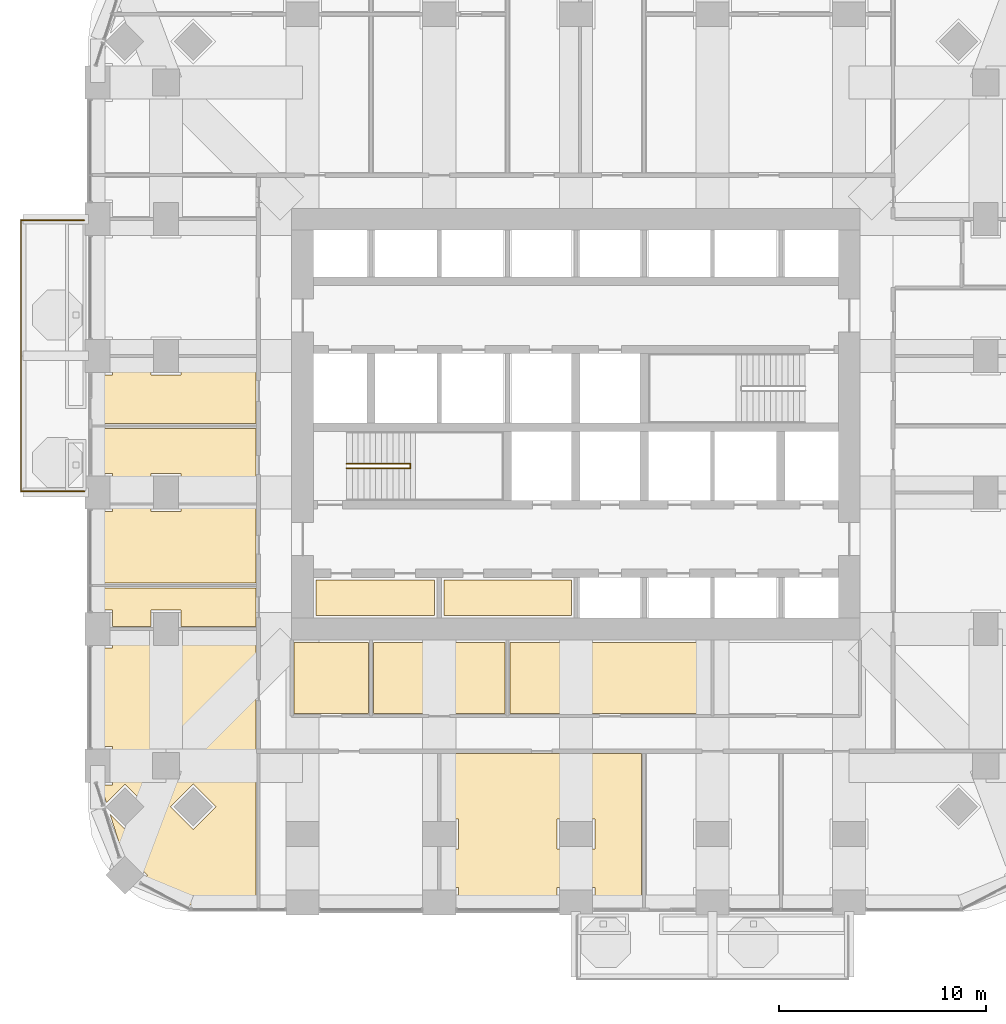
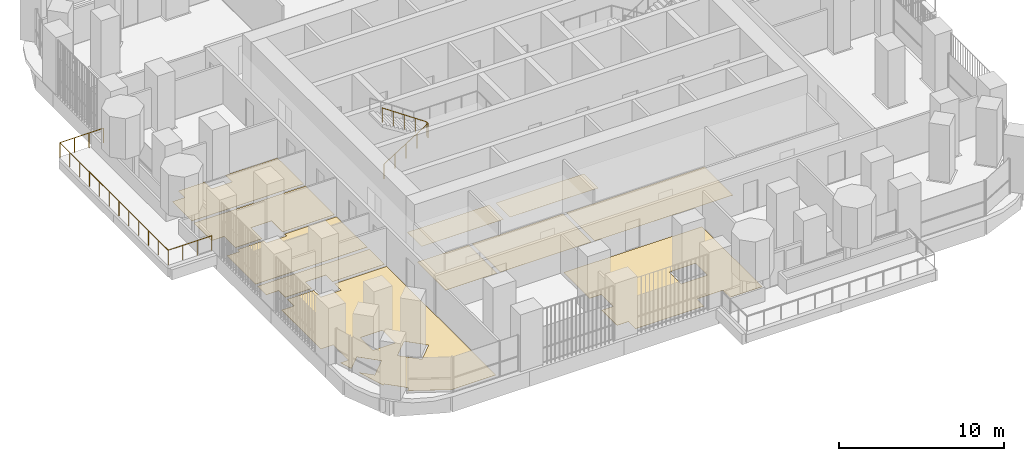
# One storey, part 18 of 22: 11 coverings, 2 railings.
"""IFC4 building model written with IfcOpenShell, lengths in metres."""

from ifc_helpers import new_model, si_unit, direction, frame, origin, place, context, subcontext, project, spatial, polyline, outline, extrude, material, layer, layer_set, type_object, element, save


model = new_model("IFC4")

# Units and contexts
model_context = context("Model", 3, precision=1e-05, world=origin(), true_north=direction((0.0, 1.0)))
body_context = subcontext(model_context, "Body", "Model", "MODEL_VIEW")
ifc_project = project(units=[si_unit("LENGTHUNIT", "METRE"), si_unit("AREAUNIT", "SQUARE_METRE"), si_unit("VOLUMEUNIT", "CUBIC_METRE"), si_unit("PLANEANGLEUNIT", "RADIAN"), si_unit("MASSUNIT", "GRAM", prefix="KILO")], contexts=[model_context])

# Site, building, storey
site_placement = place(None, origin())
site = spatial("IfcSite", under=ifc_project, at=site_placement, CompositionType="ELEMENT")
building_placement = place(site_placement, origin())
building = spatial("IfcBuilding", under=site, at=building_placement, Name="Cobogo Forest Laboratory Tower", CompositionType="ELEMENT")
storey_placement = place(building_placement, frame((0.0, 0.0, 136.800048828125)))
storey = spatial("IfcBuildingStorey", under=building, at=storey_placement, Name="L31", CompositionType="ELEMENT", Elevation=136.800048828125)

# Railing
ifc_material_1 = material(Name="Laminated glass balustrade", Category="glass")
railing_type_1 = type_object("IfcRailingType", Name="BG1 glass balustrade 1100", PredefinedType="GUARDRAIL", material=ifc_material_1)
railing_1_placement = place(storey_placement, frame((2.64990234375, 19.85009765625, 0.0)))
element("IfcRailing", 1, at=railing_1_placement, inside=storey, type_object=railing_type_1, Name="Balcony balustrade BAL-W1 L31", PredefinedType="GUARDRAIL", context=body_context, shape_type="SweptSolid", body=[
    extrude(outline(polyline([(0.022216796875, 0.00927734375), (0.00927734375, 0.022216796875), (-0.00927734375, 0.022216796875), (-0.022216796875, 0.00927734375), (-0.022216796875, -0.00927734375), (-0.00927734375, -0.022216796875), (0.00927734375, -0.022216796875), (0.022216796875, -0.00927734375), (0.022216796875, 0.00927734375)])), frame((0.0, 0.0, 1.077880859375), z_axis=(-1.0, 0.0, 0.0), x_axis=(0.0, -1.0, 0.0)), (0.0, 0.0, 1.0), 3.0498046875),
    extrude(outline(polyline([(0.022216796875, 0.00927734375), (0.00927734375, 0.022216796875), (-0.00927734375, 0.022216796875), (-0.022216796875, 0.00927734375), (-0.022216796875, -0.00927734375), (-0.00927734375, -0.022216796875), (0.00927734375, -0.022216796875), (0.022216796875, -0.00927734375), (0.022216796875, 0.00927734375)])), frame((-3.0498046875, 0.0, 1.077880859375), z_axis=(0.0, 1.0, 0.0), x_axis=(-1.0, 0.0, 0.0)), (0.0, 0.0, 1.0), 13.099853515625),
    extrude(outline(polyline([(0.022216796875, 0.00927734375), (0.00927734375, 0.022216796875), (-0.00927734375, 0.022216796875), (-0.022216796875, 0.00927734375), (-0.022216796875, -0.00927734375), (-0.00927734375, -0.022216796875), (0.00927734375, -0.022216796875), (0.022216796875, -0.00927734375), (0.022216796875, 0.00927734375)])), frame((-3.0498046875, 13.099853515625, 1.077880859375), z_axis=(1.0, 0.0, 0.0), x_axis=(0.0, 1.0, 0.0)), (0.0, 0.0, 1.0), 3.0498046875),
    extrude(outline(polyline([(0.019287109375, 0.008056640625), (0.008056640625, 0.019287109375), (-0.008056640625, 0.019287109375), (-0.019287109375, 0.008056640625), (-0.019287109375, -0.008056640625), (-0.008056640625, -0.019287109375), (0.008056640625, -0.019287109375), (0.019287109375, -0.008056640625), (0.019287109375, 0.008056640625)])), origin(), (0.0, 0.0, 1.0), 1.077880859375),
    extrude(outline(polyline([(0.019287109375, 0.008056640625), (0.008056640625, 0.019287109375), (-0.008056640625, 0.019287109375), (-0.019287109375, 0.008056640625), (-0.019287109375, -0.008056640625), (-0.008056640625, -0.019287109375), (0.008056640625, -0.019287109375), (0.019287109375, -0.008056640625), (0.019287109375, 0.008056640625)])), frame((-1.0166015625, 0.0, 0.0)), (0.0, 0.0, 1.0), 1.077880859375),
    extrude(outline(polyline([(0.019287109375, 0.008056640625), (0.008056640625, 0.019287109375), (-0.008056640625, 0.019287109375), (-0.019287109375, 0.008056640625), (-0.019287109375, -0.008056640625), (-0.008056640625, -0.019287109375), (0.008056640625, -0.019287109375), (0.019287109375, -0.008056640625), (0.019287109375, 0.008056640625)])), frame((-2.033203125, 0.0, 0.0)), (0.0, 0.0, 1.0), 1.077880859375),
    extrude(outline(polyline([(0.019287109375, 0.008056640625), (0.008056640625, 0.019287109375), (-0.008056640625, 0.019287109375), (-0.019287109375, 0.008056640625), (-0.019287109375, -0.008056640625), (-0.008056640625, -0.019287109375), (0.008056640625, -0.019287109375), (0.019287109375, -0.008056640625), (0.019287109375, 0.008056640625)])), frame((-3.0498046875, 0.0, 0.0)), (0.0, 0.0, 1.0), 1.077880859375),
    extrude(outline(polyline([(0.019287109375, 0.008056640625), (0.008056640625, 0.019287109375), (-0.008056640625, 0.019287109375), (-0.019287109375, 0.008056640625), (-0.019287109375, -0.008056640625), (-0.008056640625, -0.019287109375), (0.008056640625, -0.019287109375), (0.019287109375, -0.008056640625), (0.019287109375, 0.008056640625)])), frame((-3.0498046875, 1.19091796875, 0.0)), (0.0, 0.0, 1.0), 1.077880859375),
    extrude(outline(polyline([(0.019287109375, 0.008056640625), (0.008056640625, 0.019287109375), (-0.008056640625, 0.019287109375), (-0.019287109375, 0.008056640625), (-0.019287109375, -0.008056640625), (-0.008056640625, -0.019287109375), (0.008056640625, -0.019287109375), (0.019287109375, -0.008056640625), (0.019287109375, 0.008056640625)])), frame((-3.0498046875, 2.3818359375, 0.0)), (0.0, 0.0, 1.0), 1.077880859375),
    extrude(outline(polyline([(0.019287109375, 0.008056640625), (0.008056640625, 0.019287109375), (-0.008056640625, 0.019287109375), (-0.019287109375, 0.008056640625), (-0.019287109375, -0.008056640625), (-0.008056640625, -0.019287109375), (0.008056640625, -0.019287109375), (0.019287109375, -0.008056640625), (0.019287109375, 0.008056640625)])), frame((-3.0498046875, 3.57275390625, 0.0)), (0.0, 0.0, 1.0), 1.077880859375),
    extrude(outline(polyline([(0.019287109375, 0.008056640625), (0.008056640625, 0.019287109375), (-0.008056640625, 0.019287109375), (-0.019287109375, 0.008056640625), (-0.019287109375, -0.008056640625), (-0.008056640625, -0.019287109375), (0.008056640625, -0.019287109375), (0.019287109375, -0.008056640625), (0.019287109375, 0.008056640625)])), frame((-3.0498046875, 4.763671875, 0.0)), (0.0, 0.0, 1.0), 1.077880859375),
    extrude(outline(polyline([(0.019287109375, 0.008056640625), (0.008056640625, 0.019287109375), (-0.008056640625, 0.019287109375), (-0.019287109375, 0.008056640625), (-0.019287109375, -0.008056640625), (-0.008056640625, -0.019287109375), (0.008056640625, -0.019287109375), (0.019287109375, -0.008056640625), (0.019287109375, 0.008056640625)])), frame((-3.0498046875, 5.95458984375, 0.0)), (0.0, 0.0, 1.0), 1.077880859375),
    extrude(outline(polyline([(0.019287109375, 0.008056640625), (0.008056640625, 0.019287109375), (-0.008056640625, 0.019287109375), (-0.019287109375, 0.008056640625), (-0.019287109375, -0.008056640625), (-0.008056640625, -0.019287109375), (0.008056640625, -0.019287109375), (0.019287109375, -0.008056640625), (0.019287109375, 0.008056640625)])), frame((-3.0498046875, 7.145263671875, 0.0)), (0.0, 0.0, 1.0), 1.077880859375),
    extrude(outline(polyline([(0.019287109375, 0.008056640625), (0.008056640625, 0.019287109375), (-0.008056640625, 0.019287109375), (-0.019287109375, 0.008056640625), (-0.019287109375, -0.008056640625), (-0.008056640625, -0.019287109375), (0.008056640625, -0.019287109375), (0.019287109375, -0.008056640625), (0.019287109375, 0.008056640625)])), frame((-3.0498046875, 8.336181640625, 0.0)), (0.0, 0.0, 1.0), 1.077880859375),
    extrude(outline(polyline([(0.019287109375, 0.008056640625), (0.008056640625, 0.019287109375), (-0.008056640625, 0.019287109375), (-0.019287109375, 0.008056640625), (-0.019287109375, -0.008056640625), (-0.008056640625, -0.019287109375), (0.008056640625, -0.019287109375), (0.019287109375, -0.008056640625), (0.019287109375, 0.008056640625)])), frame((-3.0498046875, 9.527099609375, 0.0)), (0.0, 0.0, 1.0), 1.077880859375),
    extrude(outline(polyline([(0.019287109375, 0.008056640625), (0.008056640625, 0.019287109375), (-0.008056640625, 0.019287109375), (-0.019287109375, 0.008056640625), (-0.019287109375, -0.008056640625), (-0.008056640625, -0.019287109375), (0.008056640625, -0.019287109375), (0.019287109375, -0.008056640625), (0.019287109375, 0.008056640625)])), frame((-3.0498046875, 10.718017578125, 0.0)), (0.0, 0.0, 1.0), 1.077880859375),
    extrude(outline(polyline([(0.019287109375, 0.008056640625), (0.008056640625, 0.019287109375), (-0.008056640625, 0.019287109375), (-0.019287109375, 0.008056640625), (-0.019287109375, -0.008056640625), (-0.008056640625, -0.019287109375), (0.008056640625, -0.019287109375), (0.019287109375, -0.008056640625), (0.019287109375, 0.008056640625)])), frame((-3.0498046875, 11.908935546875, 0.0)), (0.0, 0.0, 1.0), 1.077880859375),
    extrude(outline(polyline([(0.019287109375, 0.008056640625), (0.008056640625, 0.019287109375), (-0.008056640625, 0.019287109375), (-0.019287109375, 0.008056640625), (-0.019287109375, -0.008056640625), (-0.008056640625, -0.019287109375), (0.008056640625, -0.019287109375), (0.019287109375, -0.008056640625), (0.019287109375, 0.008056640625)])), frame((-3.0498046875, 13.099853515625, 0.0)), (0.0, 0.0, 1.0), 1.077880859375),
    extrude(outline(polyline([(0.019287109375, 0.008056640625), (0.008056640625, 0.019287109375), (-0.008056640625, 0.019287109375), (-0.019287109375, 0.008056640625), (-0.019287109375, -0.008056640625), (-0.008056640625, -0.019287109375), (0.008056640625, -0.019287109375), (0.019287109375, -0.008056640625), (0.019287109375, 0.008056640625)])), frame((-2.033203125, 13.099853515625, 0.0)), (0.0, 0.0, 1.0), 1.077880859375),
    extrude(outline(polyline([(0.019287109375, 0.008056640625), (0.008056640625, 0.019287109375), (-0.008056640625, 0.019287109375), (-0.019287109375, 0.008056640625), (-0.019287109375, -0.008056640625), (-0.008056640625, -0.019287109375), (0.008056640625, -0.019287109375), (0.019287109375, -0.008056640625), (0.019287109375, 0.008056640625)])), frame((-1.0166015625, 13.099853515625, 0.0)), (0.0, 0.0, 1.0), 1.077880859375),
    extrude(outline(polyline([(0.019287109375, 0.008056640625), (0.008056640625, 0.019287109375), (-0.008056640625, 0.019287109375), (-0.019287109375, 0.008056640625), (-0.019287109375, -0.008056640625), (-0.008056640625, -0.019287109375), (0.008056640625, -0.019287109375), (0.019287109375, -0.008056640625), (0.019287109375, 0.008056640625)])), frame((0.0, 13.099853515625, 0.0)), (0.0, 0.0, 1.0), 1.077880859375),
])

# Coverings
ifc_material_2 = material(Name="Carpet tile on raised access floor", Category="flooring")
ifc_layer_1 = layer(ifc_material_2, 0.008056640625)
ifc_layer_set_1 = layer_set([ifc_layer_1], Name="CT1 carpet tile floor 8")
covering_type_1 = type_object("IfcCoveringType", Name="CT1 carpet tile floor 8", PredefinedType="FLOORING", material=ifc_layer_set_1)
covering_1_placement = place(storey_placement, origin())
element("IfcCovering", 2, at=covering_1_placement, inside=storey, type_object=covering_type_1, Name="Carpet floor L31-06", PredefinedType="FLOORING", context=body_context, shape_type="SweptSolid", body=[
    extrude(outline(polyline([(29.580078125, 7.179931640625), (29.580078125, -0.14990234375), (27.320068359375, -0.14990234375), (27.320068359375, 0.719970703125), (25.47998046875, 0.719970703125), (25.47998046875, -0.14990234375), (20.719970703125, -0.14990234375), (20.719970703125, 0.719970703125), (19.919921875, 0.719970703125), (19.919921875, 2.580078125), (20.719970703125, 2.580078125), (20.719970703125, 4.02001953125), (19.919921875, 4.02001953125), (19.919921875, 7.179931640625), (29.580078125, 7.179931640625)]), holes=[polyline([(25.47998046875, 4.02001953125), (25.47998046875, 2.580078125), (27.320068359375, 2.580078125), (27.320068359375, 4.02001953125), (25.47998046875, 4.02001953125)])]), origin(), (0.0, 0.0, 1.0), 0.008056640625),
])
covering_2_placement = place(storey_placement, origin())
element("IfcCovering", 3, at=covering_2_placement, inside=storey, type_object=covering_type_1, Name="Carpet floor L31-23", PredefinedType="FLOORING", context=body_context, shape_type="SweptSolid", body=[
    extrude(outline(polyline([(3.904052734375, 4.2431640625), (4.617919921875, 3.529052734375), (5.70703125, 4.617919921875), (4.617919921875, 5.70703125), (3.72412109375, 4.81298828125), (3.4501953125, 5.679931640625), (4.02001953125, 5.679931640625), (4.02001953125, 7.52001953125), (3.14990234375, 7.52001953125), (3.14990234375, 12.280029296875), (4.02001953125, 12.280029296875), (4.02001953125, 13.080078125), (5.8798828125, 13.080078125), (5.8798828125, 12.280029296875), (7.320068359375, 12.280029296875), (7.320068359375, 13.080078125), (10.955078125, 13.080078125), (10.955078125, -0.14990234375), (7.84912109375, -0.14990234375), (5.480712890625, 1.091552734375), (5.70703125, 1.318115234375), (4.617919921875, 2.406982421875), (4.51611328125, 2.304931640625), (3.904052734375, 4.2431640625)]), holes=[polyline([(6.8291015625, 4.617919921875), (7.91796875, 3.529052734375), (9.007080078125, 4.617919921875), (7.91796875, 5.70703125), (6.8291015625, 4.617919921875)]), polyline([(5.830078125, 7.3701171875), (5.830078125, 5.830078125), (7.3701171875, 5.830078125), (7.3701171875, 7.3701171875), (5.830078125, 7.3701171875)])]), origin(), (0.0, 0.0, 1.0), 0.008056640625),
])
covering_3_placement = place(storey_placement, origin())
element("IfcCovering", 4, at=covering_3_placement, inside=storey, type_object=covering_type_1, Name="Carpet floor L31-37", PredefinedType="FLOORING", context=body_context, shape_type="SweptSolid", body=[
    extrude(outline(polyline([(19.580078125, 13.844970703125), (13.844970703125, 13.844970703125), (13.844970703125, 15.580078125), (19.580078125, 15.580078125), (19.580078125, 13.844970703125)])), origin(), (0.0, 0.0, 1.0), 0.008056640625),
])
covering_4_placement = place(storey_placement, origin())
element("IfcCovering", 5, at=covering_4_placement, inside=storey, type_object=covering_type_1, Name="Carpet floor L31-38", PredefinedType="FLOORING", context=body_context, shape_type="SweptSolid", body=[
    extrude(outline(polyline([(26.179931640625, 13.844970703125), (20.02001953125, 13.844970703125), (20.02001953125, 15.580078125), (26.179931640625, 15.580078125), (26.179931640625, 13.844970703125)])), origin(), (0.0, 0.0, 1.0), 0.008056640625),
])

# Railing
ifc_material_3 = material(Name="Steel balustrade", Category="steel")
railing_type_2 = type_object("IfcRailingType", Name="GR stair guard 1100", PredefinedType="GUARDRAIL", material=ifc_material_3)
railing_2_placement = place(storey_placement, frame((15.324951171875, 20.969970703125, 0.175048828125)))
element("IfcRailing", 6, at=railing_2_placement, inside=storey, type_object=railing_type_2, Name="Stair guard ST1 L31", PredefinedType="GUARDRAIL", context=body_context, shape_type="SweptSolid", body=[
    extrude(outline(polyline([(0.022216796875, 0.00927734375), (0.00927734375, 0.022216796875), (-0.00927734375, 0.022216796875), (-0.022216796875, 0.00927734375), (-0.022216796875, -0.00927734375), (-0.00927734375, -0.022216796875), (0.00927734375, -0.022216796875), (0.022216796875, -0.00927734375), (0.022216796875, 0.00927734375)])), frame((0.0, 0.0, 1.077880859375), z_axis=(0.848028513186, 0.0, 0.529950602248), x_axis=(0.0, 1.0, 0.0)), (0.0, 0.0, 1.0), 3.632080078125),
    extrude(outline(polyline([(0.022216796875, 0.00927734375), (0.00927734375, 0.022216796875), (-0.00927734375, 0.022216796875), (-0.022216796875, 0.00927734375), (-0.022216796875, -0.00927734375), (-0.00927734375, -0.022216796875), (0.00927734375, -0.022216796875), (0.022216796875, -0.00927734375), (0.022216796875, 0.00927734375)])), frame((3.080078125, 0.0, 3.002685546875), z_axis=(0.0, 1.0, 0.0), x_axis=(-1.0, 0.0, 0.0)), (0.0, 0.0, 1.0), 0.2099609375),
    extrude(outline(polyline([(0.022216796875, 0.00927734375), (0.00927734375, 0.022216796875), (-0.00927734375, 0.022216796875), (-0.022216796875, 0.00927734375), (-0.022216796875, -0.00927734375), (-0.00927734375, -0.022216796875), (0.00927734375, -0.022216796875), (0.022216796875, -0.00927734375), (0.022216796875, 0.00927734375)])), frame((3.080078125, 0.2099609375, 3.002685546875), z_axis=(-0.826221800596, 0.0, 0.563344953133), x_axis=(0.0, -1.0, 0.0)), (0.0, 0.0, 1.0), 3.72802734375),
    extrude(outline(polyline([(0.019287109375, 0.008056640625), (0.008056640625, 0.019287109375), (-0.008056640625, 0.019287109375), (-0.019287109375, 0.008056640625), (-0.019287109375, -0.008056640625), (-0.008056640625, -0.019287109375), (0.008056640625, -0.019287109375), (0.019287109375, -0.008056640625), (0.019287109375, 0.008056640625)])), origin(), (0.0, 0.0, 1.0), 1.077880859375),
    extrude(outline(polyline([(0.019287109375, 0.008056640625), (0.008056640625, 0.019287109375), (-0.008056640625, 0.019287109375), (-0.019287109375, 0.008056640625), (-0.019287109375, -0.008056640625), (-0.008056640625, -0.019287109375), (0.008056640625, -0.019287109375), (0.019287109375, -0.008056640625), (0.019287109375, 0.008056640625)])), frame((0.77001953125, 0.0, 0.481201171875)), (0.0, 0.0, 1.0), 1.077880859375),
    extrude(outline(polyline([(0.019287109375, 0.008056640625), (0.008056640625, 0.019287109375), (-0.008056640625, 0.019287109375), (-0.019287109375, 0.008056640625), (-0.019287109375, -0.008056640625), (-0.008056640625, -0.019287109375), (0.008056640625, -0.019287109375), (0.019287109375, -0.008056640625), (0.019287109375, 0.008056640625)])), frame((1.5400390625, 0.0, 0.96240234375)), (0.0, 0.0, 1.0), 1.077880859375),
    extrude(outline(polyline([(0.019287109375, 0.008056640625), (0.008056640625, 0.019287109375), (-0.008056640625, 0.019287109375), (-0.019287109375, 0.008056640625), (-0.019287109375, -0.008056640625), (-0.008056640625, -0.019287109375), (0.008056640625, -0.019287109375), (0.019287109375, -0.008056640625), (0.019287109375, 0.008056640625)])), frame((2.31005859375, 0.0, 1.443603515625)), (0.0, 0.0, 1.0), 1.077880859375),
    extrude(outline(polyline([(0.019287109375, 0.008056640625), (0.008056640625, 0.019287109375), (-0.008056640625, 0.019287109375), (-0.019287109375, 0.008056640625), (-0.019287109375, -0.008056640625), (-0.008056640625, -0.019287109375), (0.008056640625, -0.019287109375), (0.019287109375, -0.008056640625), (0.019287109375, 0.008056640625)])), frame((3.080078125, 0.0, 1.9248046875)), (0.0, 0.0, 1.0), 1.077880859375),
    extrude(outline(polyline([(0.019287109375, 0.008056640625), (0.008056640625, 0.019287109375), (-0.008056640625, 0.019287109375), (-0.019287109375, 0.008056640625), (-0.019287109375, -0.008056640625), (-0.008056640625, -0.019287109375), (0.008056640625, -0.019287109375), (0.019287109375, -0.008056640625), (0.019287109375, 0.008056640625)])), frame((3.080078125, 0.2099609375, 1.9248046875)), (0.0, 0.0, 1.0), 1.077880859375),
    extrude(outline(polyline([(0.019287109375, 0.008056640625), (0.008056640625, 0.019287109375), (-0.008056640625, 0.019287109375), (-0.019287109375, 0.008056640625), (-0.019287109375, -0.008056640625), (-0.008056640625, -0.019287109375), (0.008056640625, -0.019287109375), (0.019287109375, -0.008056640625), (0.019287109375, 0.008056640625)])), frame((2.31005859375, 0.2099609375, 2.44970703125)), (0.0, 0.0, 1.0), 1.077880859375),
    extrude(outline(polyline([(0.019287109375, 0.008056640625), (0.008056640625, 0.019287109375), (-0.008056640625, 0.019287109375), (-0.019287109375, 0.008056640625), (-0.019287109375, -0.008056640625), (-0.008056640625, -0.019287109375), (0.008056640625, -0.019287109375), (0.019287109375, -0.008056640625), (0.019287109375, 0.008056640625)])), frame((1.5400390625, 0.2099609375, 2.974853515625)), (0.0, 0.0, 1.0), 1.077880859375),
    extrude(outline(polyline([(0.019287109375, 0.008056640625), (0.008056640625, 0.019287109375), (-0.008056640625, 0.019287109375), (-0.019287109375, 0.008056640625), (-0.019287109375, -0.008056640625), (-0.008056640625, -0.019287109375), (0.008056640625, -0.019287109375), (0.019287109375, -0.008056640625), (0.019287109375, 0.008056640625)])), frame((0.77001953125, 0.2099609375, 3.5)), (0.0, 0.0, 1.0), 1.077880859375),
    extrude(outline(polyline([(0.019287109375, 0.008056640625), (0.008056640625, 0.019287109375), (-0.008056640625, 0.019287109375), (-0.019287109375, 0.008056640625), (-0.019287109375, -0.008056640625), (-0.008056640625, -0.019287109375), (0.008056640625, -0.019287109375), (0.019287109375, -0.008056640625), (0.019287109375, 0.008056640625)])), frame((0.0, 0.2099609375, 4.02490234375)), (0.0, 0.0, 1.0), 1.077880859375),
])

# Coverings
ifc_material_4 = material(Name="Epoxy resin flooring", Category="flooring")
ifc_layer_2 = layer(ifc_material_4, 0.00390625)
ifc_layer_set_2 = layer_set([ifc_layer_2], Name="LF1 epoxy laboratory floor 4")
covering_type_2 = type_object("IfcCoveringType", Name="LF1 epoxy laboratory floor 4", PredefinedType="FLOORING", material=ifc_layer_set_2)
covering_5_placement = place(storey_placement, origin())
element("IfcCovering", 7, at=covering_5_placement, inside=storey, type_object=covering_type_2, Name="Epoxy laboratory floor L31-02", PredefinedType="FLOORING", context=body_context, shape_type="SweptSolid", body=[
    extrude(outline(polyline([(22.97998046875, 9.1201171875), (16.6201171875, 9.1201171875), (16.6201171875, 12.554931640625), (22.97998046875, 12.554931640625), (22.97998046875, 9.1201171875)])), origin(), (0.0, 0.0, 1.0), 0.00390625),
])
covering_6_placement = place(storey_placement, origin())
element("IfcCovering", 8, at=covering_6_placement, inside=storey, type_object=covering_type_2, Name="Epoxy laboratory floor L31-03", PredefinedType="FLOORING", context=body_context, shape_type="SweptSolid", body=[
    extrude(outline(polyline([(32.8798828125, 9.1201171875), (23.219970703125, 9.1201171875), (23.219970703125, 12.554931640625), (32.8798828125, 12.554931640625), (32.8798828125, 9.1201171875)])), origin(), (0.0, 0.0, 1.0), 0.00390625),
])
ifc_material_5 = material(Name="Ceramic floor tile", Category="flooring")
ifc_layer_3 = layer(ifc_material_5, 0.010009765625)
ifc_layer_set_3 = layer_set([ifc_layer_3], Name="TF1 ceramic tile floor 10")
covering_type_3 = type_object("IfcCoveringType", Name="TF1 ceramic tile floor 10", PredefinedType="FLOORING", material=ifc_layer_set_3)
covering_7_placement = place(storey_placement, origin())
element("IfcCovering", 9, at=covering_7_placement, inside=storey, type_object=covering_type_3, Name="Tile floor L31-01", PredefinedType="FLOORING", context=body_context, shape_type="SweptSolid", body=[
    extrude(outline(polyline([(16.3798828125, 9.1201171875), (12.794921875, 9.1201171875), (12.794921875, 12.554931640625), (16.3798828125, 12.554931640625), (16.3798828125, 9.1201171875)])), origin(), (0.0, 0.0, 1.0), 0.010009765625),
])
covering_8_placement = place(storey_placement, origin())
element("IfcCovering", 10, at=covering_8_placement, inside=storey, type_object=covering_type_3, Name="Tile floor L31-24", PredefinedType="FLOORING", context=body_context, shape_type="SweptSolid", body=[
    extrude(outline(polyline([(10.955078125, 13.320068359375), (7.320068359375, 13.320068359375), (7.320068359375, 14.1201171875), (5.8798828125, 14.1201171875), (5.8798828125, 13.320068359375), (4.02001953125, 13.320068359375), (4.02001953125, 14.1201171875), (3.14990234375, 14.1201171875), (3.14990234375, 15.179931640625), (10.955078125, 15.179931640625), (10.955078125, 13.320068359375)])), origin(), (0.0, 0.0, 1.0), 0.010009765625),
])
covering_9_placement = place(storey_placement, origin())
element("IfcCovering", 11, at=covering_9_placement, inside=storey, type_object=covering_type_3, Name="Tile floor L31-25", PredefinedType="FLOORING", context=body_context, shape_type="SweptSolid", body=[
    extrude(outline(polyline([(10.955078125, 15.419921875), (3.14990234375, 15.419921875), (3.14990234375, 18.8798828125), (4.02001953125, 18.8798828125), (4.02001953125, 19.1298828125), (5.8798828125, 19.1298828125), (5.8798828125, 18.8798828125), (7.320068359375, 18.8798828125), (7.320068359375, 19.1298828125), (10.955078125, 19.1298828125), (10.955078125, 15.419921875)])), origin(), (0.0, 0.0, 1.0), 0.010009765625),
])
covering_10_placement = place(storey_placement, origin())
element("IfcCovering", 12, at=covering_10_placement, inside=storey, type_object=covering_type_3, Name="Tile floor L31-26", PredefinedType="FLOORING", context=body_context, shape_type="SweptSolid", body=[
    extrude(outline(polyline([(10.955078125, 19.3701171875), (7.320068359375, 19.3701171875), (7.320068359375, 20.719970703125), (5.8798828125, 20.719970703125), (5.8798828125, 19.3701171875), (4.02001953125, 19.3701171875), (4.02001953125, 20.719970703125), (3.14990234375, 20.719970703125), (3.14990234375, 22.8798828125), (10.955078125, 22.8798828125), (10.955078125, 19.3701171875)])), origin(), (0.0, 0.0, 1.0), 0.010009765625),
])
covering_11_placement = place(storey_placement, origin())
element("IfcCovering", 13, at=covering_11_placement, inside=storey, type_object=covering_type_3, Name="Tile floor L31-27", PredefinedType="FLOORING", context=body_context, shape_type="SweptSolid", body=[
    extrude(outline(polyline([(10.955078125, 23.1201171875), (3.14990234375, 23.1201171875), (3.14990234375, 25.47998046875), (4.02001953125, 25.47998046875), (4.02001953125, 26.280029296875), (5.8798828125, 26.280029296875), (5.8798828125, 25.47998046875), (7.320068359375, 25.47998046875), (7.320068359375, 26.280029296875), (10.955078125, 26.280029296875), (10.955078125, 23.1201171875)])), origin(), (0.0, 0.0, 1.0), 0.010009765625),
])

save(model, "model.ifc")
